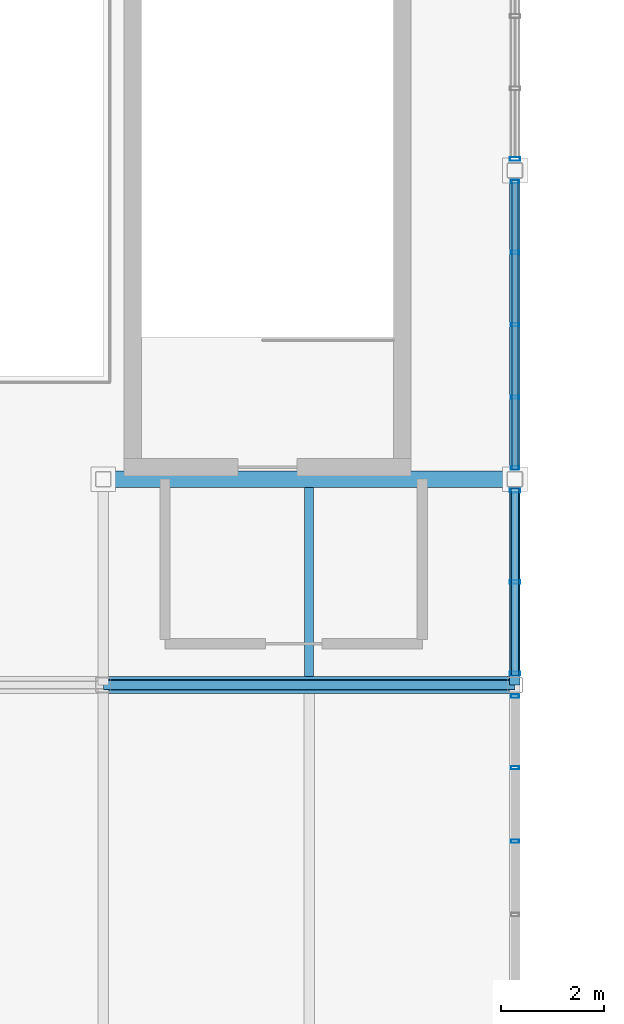
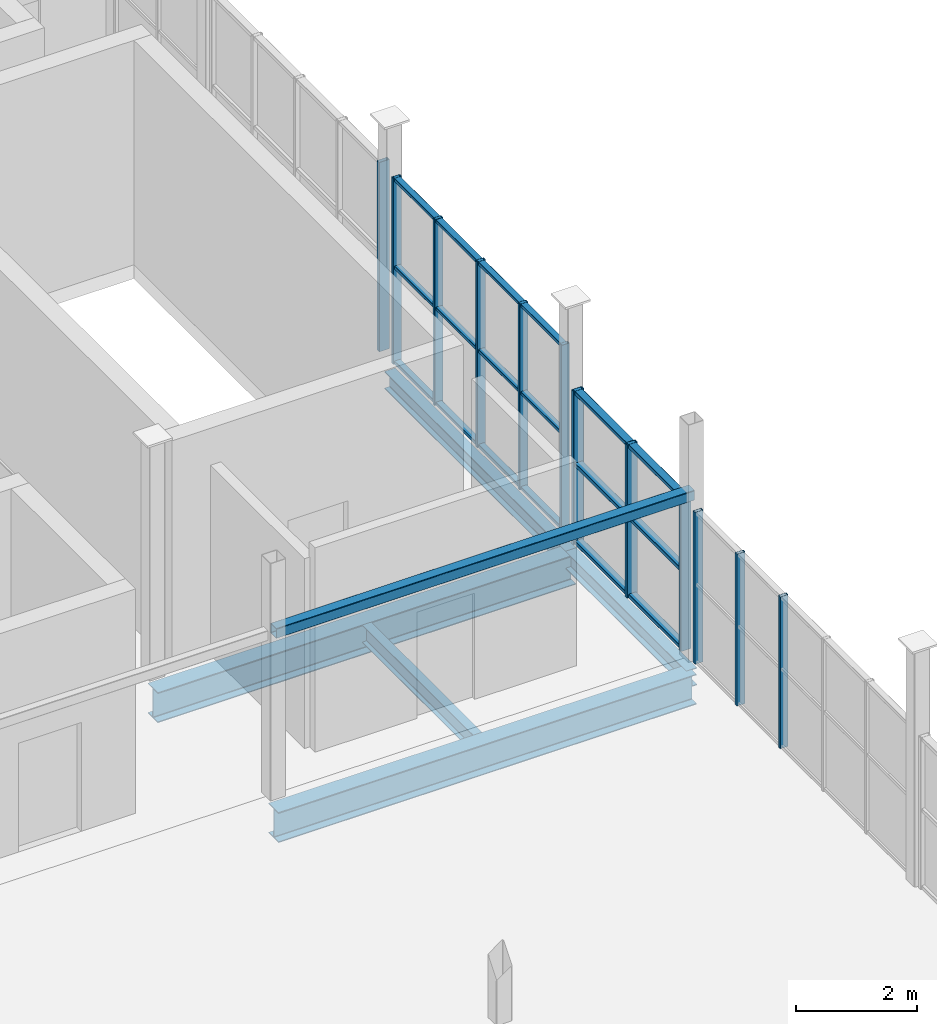
# One storey, part 35 of 114: 18 members, 6 beams, 4 elements without a shape of their own.
"""IFC4 building model written with IfcOpenShell, lengths in metres."""

from ifc_helpers import new_model, si_unit, direction, frame, origin, origin_2d, place, context, subcontext, project, spatial, hollow_rectangle, i_section, extrude, material, material_profile, profile_set, type_object, element, aggregate, save


model = new_model("IFC4")

# Units and contexts
model_context = context("Model", 3, precision=1e-05, world=origin(), true_north=direction((0.0, 1.0)))
body_context = subcontext(model_context, "Body", "Model", "MODEL_VIEW")
ifc_project = project(units=[si_unit("LENGTHUNIT", "METRE"), si_unit("AREAUNIT", "SQUARE_METRE"), si_unit("VOLUMEUNIT", "CUBIC_METRE"), si_unit("PLANEANGLEUNIT", "RADIAN"), si_unit("MASSUNIT", "GRAM", prefix="KILO")], contexts=[model_context])

# Site, building, storey
site_placement = place(None, origin())
site = spatial("IfcSite", under=ifc_project, at=site_placement, CompositionType="ELEMENT")
building_placement = place(site_placement, origin())
building = spatial("IfcBuilding", under=site, at=building_placement, Name="Verrall Gate Interchange", CompositionType="ELEMENT")
storey_placement = place(building_placement, frame((0.0, 0.0, 6.60009765625)))
storey = spatial("IfcBuildingStorey", under=building, at=storey_placement, Name="L02", CompositionType="ELEMENT", Elevation=6.60009765625)

# Beams
ifc_material_1 = material(Name="Structural Steel CSA G40.21 350WT Cat 4", Category="steel")
ifc_material_profile_1 = material_profile(ifc_material_1, i_section(OverallWidth=0.323974609375, OverallDepth=0.611083984375, WebThickness=0.0126953125, FlangeThickness=0.01904296875, FilletRadius=0.014892578125, at=origin_2d()), Name="W610x155")
ifc_profile_set_1 = profile_set([ifc_material_profile_1], Name="Structural Steel CSA G40.21 350WT Cat 4")
beam_type_1 = type_object("IfcBeamType", Name="B-08 Structural Beam W610x155", PredefinedType="BEAM", material=ifc_profile_set_1)
for number, where, z_axis, x_axis, name in (
    (1, (100.0, 12.0, -0.585693359375), (1.0, 0.0, 0.0), (0.0, 1.0, 0.0), "L02 Girder BM-L02-1480 (B-08)"),
    (2, (100.0, 16.0, -0.585693359375), (1.0, 0.0, 0.0), (0.0, 1.0, 0.0), "L02 Girder BM-L02-1497 (B-08)"),
):
    element("IfcBeam", number, at=place(storey_placement, frame(where, z_axis=z_axis, x_axis=x_axis)), inside=storey, type_object=beam_type_1, Name=name, PredefinedType="BEAM", context=body_context, shape_type="SweptSolid", body=[
        extrude(i_section(OverallWidth=0.323974609375, OverallDepth=0.611083984375, WebThickness=0.0126953125, FlangeThickness=0.01904296875, FilletRadius=0.014892578125, at=origin_2d()), origin(), (0.0, 0.0, 1.0), 8.0),
    ])
ifc_material_2 = material(Name="Structural Steel CSA G40.21 350W", Category="steel")
ifc_material_profile_2 = material_profile(ifc_material_2, i_section(OverallWidth=0.205078125, OverallDepth=0.35400390625, WebThickness=0.009521484375, FlangeThickness=0.016845703125, FilletRadius=0.012939453125, at=origin_2d()), Name="W360x79")
ifc_profile_set_2 = profile_set([ifc_material_profile_2], Name="Structural Steel CSA G40.21 350W")
beam_type_2 = type_object("IfcBeamType", Name="B-14 Structural Beam W360x79", PredefinedType="BEAM", material=ifc_profile_set_2)
beam_1_placement = place(storey_placement, frame((108.0, 12.0, -0.45703125), z_axis=(0.0, 1.0, 0.0), x_axis=(-1.0, 0.0, 0.0)))
element("IfcBeam", 3, at=beam_1_placement, inside=storey, type_object=beam_type_2, Name="L02 Girder BM-L02-1773 (B-14)", PredefinedType="BEAM", context=body_context, shape_type="SweptSolid", body=[
    extrude(i_section(OverallWidth=0.205078125, OverallDepth=0.35400390625, WebThickness=0.009521484375, FlangeThickness=0.016845703125, FilletRadius=0.012939453125, at=origin_2d()), origin(), (0.0, 0.0, 1.0), 4.0),
])
beam_2_placement = place(storey_placement, frame((108.0, 16.0, -0.45703125), z_axis=(0.0, 1.0, 0.0), x_axis=(-1.0, 0.0, 0.0)))
element("IfcBeam", 4, at=beam_2_placement, inside=storey, type_object=beam_type_2, Name="L02 Girder BM-L02-1774 (B-14)", PredefinedType="BEAM", context=body_context, shape_type="SweptSolid", body=[
    extrude(i_section(OverallWidth=0.205078125, OverallDepth=0.35400390625, WebThickness=0.009521484375, FlangeThickness=0.016845703125, FilletRadius=0.012939453125, at=origin_2d()), origin(), (0.0, 0.0, 1.0), 6.0),
])

# Curtain wall, members
ifc_material_3 = material(Name="Thermally Broken Anodized Aluminium Curtain Wall Framing", Category="aluminium")
curtain_wall_type_1 = type_object("IfcCurtainWallType", Name="CW-16 Unitized Curtain Wall 7131x3070", PredefinedType="NOTDEFINED", material=ifc_material_3)
curtain_wall_1_placement = place(storey_placement, origin())
curtain_wall_1 = element("IfcCurtainWall", 5, at=curtain_wall_1_placement, inside=storey, type_object=curtain_wall_type_1, Name="L02 Unitized Curtain Wall CW-L02-062", PredefinedType="NOTDEFINED")
ifc_material_4 = material(Name="Thermally Broken Anodized Aluminium Curtain Wall Framing", Category="aluminium")
ifc_material_profile_3 = material_profile(ifc_material_4, hollow_rectangle(XDim=0.06494140625, YDim=0.159912109375, WallThickness=0.00390625, InnerFilletRadius=0.00390625, OuterFilletRadius=0.008056640625, at=origin_2d()), Name="CWM160x65x4")
ifc_profile_set_3 = profile_set([ifc_material_profile_3], Name="Thermally Broken Anodized Aluminium Curtain Wall Framing")
member_type_1 = type_object("IfcMemberType", Name="CM-01 Curtain Mullion CWM160x65x4", PredefinedType="MULLION", material=ifc_profile_set_3)
member_1_placement = place(storey_placement, frame((108.0, 8.963134765625, 0.0), z_axis=(0.0, 0.0, 1.0), x_axis=(0.0, 1.0, 0.0)))
member_1 = element("IfcMember", 6, at=member_1_placement, type_object=member_type_1, Name="CW-L02-062 Mullion 4", PredefinedType="MULLION", context=body_context, shape_type="SweptSolid", body=[
    extrude(hollow_rectangle(XDim=0.06494140625, YDim=0.159912109375, WallThickness=0.00390625, InnerFilletRadius=0.00390625, OuterFilletRadius=0.008056640625, at=origin_2d()), origin(), (0.0, 0.0, 1.0), 3.06982421875),
])
member_2_placement = place(storey_placement, frame((108.0, 10.389404296875, 0.0), z_axis=(0.0, 0.0, 1.0), x_axis=(0.0, 1.0, 0.0)))
member_2 = element("IfcMember", 7, at=member_2_placement, type_object=member_type_1, Name="CW-L02-062 Mullion 5", PredefinedType="MULLION", context=body_context, shape_type="SweptSolid", body=[
    extrude(hollow_rectangle(XDim=0.06494140625, YDim=0.159912109375, WallThickness=0.00390625, InnerFilletRadius=0.00390625, OuterFilletRadius=0.008056640625, at=origin_2d()), origin(), (0.0, 0.0, 1.0), 3.06982421875),
])
member_3_placement = place(storey_placement, frame((108.0, 11.782958984375, 0.0), z_axis=(0.0, 0.0, 1.0), x_axis=(0.0, 1.0, 0.0)))
member_3 = element("IfcMember", 8, at=member_3_placement, type_object=member_type_1, Name="CW-L02-062 Mullion 6", PredefinedType="MULLION", context=body_context, shape_type="SweptSolid", body=[
    extrude(hollow_rectangle(XDim=0.06494140625, YDim=0.159912109375, WallThickness=0.00390625, InnerFilletRadius=0.00390625, OuterFilletRadius=0.008056640625, at=origin_2d()), origin(), (0.0, 0.0, 1.0), 3.06982421875),
])
aggregate(curtain_wall_1, [member_1, member_2, member_3])

ifc_material_5 = material(Name="Thermally Broken Anodized Aluminium Curtain Wall Framing", Category="aluminium")
curtain_wall_type_2 = type_object("IfcCurtainWallType", Name="CW-18 Unitized Curtain Wall 5631x3760", PredefinedType="NOTDEFINED", material=ifc_material_5)
curtain_wall_2_placement = place(storey_placement, origin())
curtain_wall_2 = element("IfcCurtainWall", 9, at=curtain_wall_2_placement, inside=storey, type_object=curtain_wall_type_2, Name="L02 Unitized Curtain Wall CW-L02-064", PredefinedType="NOTDEFINED")
member_4_placement = place(storey_placement, frame((108.0, 16.217041015625, 0.0), z_axis=(0.0, 0.0, 1.0), x_axis=(0.0, 1.0, 0.0)))
member_4 = element("IfcMember", 10, at=member_4_placement, type_object=member_type_1, Name="CW-L02-064 Mullion 1", PredefinedType="MULLION", context=body_context, shape_type="SweptSolid", body=[
    extrude(hollow_rectangle(XDim=0.06494140625, YDim=0.159912109375, WallThickness=0.00390625, InnerFilletRadius=0.00390625, OuterFilletRadius=0.008056640625, at=origin_2d()), origin(), (0.0, 0.0, 1.0), 3.760009765625),
])
member_5_placement = place(storey_placement, frame((108.0, 17.59228515625, 0.0), z_axis=(0.0, 0.0, 1.0), x_axis=(0.0, 1.0, 0.0)))
member_5 = element("IfcMember", 11, at=member_5_placement, type_object=member_type_1, Name="CW-L02-064 Mullion 2", PredefinedType="MULLION", context=body_context, shape_type="SweptSolid", body=[
    extrude(hollow_rectangle(XDim=0.06494140625, YDim=0.159912109375, WallThickness=0.00390625, InnerFilletRadius=0.00390625, OuterFilletRadius=0.008056640625, at=origin_2d()), origin(), (0.0, 0.0, 1.0), 3.760009765625),
])
member_6_placement = place(storey_placement, frame((108.0, 19.0, 0.0), z_axis=(0.0, 0.0, 1.0), x_axis=(0.0, 1.0, 0.0)))
member_6 = element("IfcMember", 12, at=member_6_placement, type_object=member_type_1, Name="CW-L02-064 Mullion 3", PredefinedType="MULLION", context=body_context, shape_type="SweptSolid", body=[
    extrude(hollow_rectangle(XDim=0.06494140625, YDim=0.159912109375, WallThickness=0.00390625, InnerFilletRadius=0.00390625, OuterFilletRadius=0.008056640625, at=origin_2d()), origin(), (0.0, 0.0, 1.0), 3.760009765625),
])
member_7_placement = place(storey_placement, frame((108.0, 20.40771484375, 0.0), z_axis=(0.0, 0.0, 1.0), x_axis=(0.0, 1.0, 0.0)))
member_7 = element("IfcMember", 13, at=member_7_placement, type_object=member_type_1, Name="CW-L02-064 Mullion 4", PredefinedType="MULLION", context=body_context, shape_type="SweptSolid", body=[
    extrude(hollow_rectangle(XDim=0.06494140625, YDim=0.159912109375, WallThickness=0.00390625, InnerFilletRadius=0.00390625, OuterFilletRadius=0.008056640625, at=origin_2d()), origin(), (0.0, 0.0, 1.0), 3.760009765625),
])
member_8_placement = place(storey_placement, frame((108.0, 21.782958984375, 0.0), z_axis=(0.0, 0.0, 1.0), x_axis=(0.0, 1.0, 0.0)))
member_8 = element("IfcMember", 14, at=member_8_placement, type_object=member_type_1, Name="CW-L02-064 Mullion 5", PredefinedType="MULLION", context=body_context, shape_type="SweptSolid", body=[
    extrude(hollow_rectangle(XDim=0.06494140625, YDim=0.159912109375, WallThickness=0.00390625, InnerFilletRadius=0.00390625, OuterFilletRadius=0.008056640625, at=origin_2d()), origin(), (0.0, 0.0, 1.0), 3.760009765625),
])

ifc_material_6 = material(Name="Thermally Broken Anodized Aluminium Curtain Wall Framing", Category="aluminium")
curtain_wall_type_3 = type_object("IfcCurtainWallType", Name="CW-17 Unitized Curtain Wall 3631x3100", PredefinedType="NOTDEFINED", material=ifc_material_6)
curtain_wall_3_placement = place(storey_placement, origin())
curtain_wall_3 = element("IfcCurtainWall", 15, at=curtain_wall_3_placement, inside=storey, type_object=curtain_wall_type_3, Name="L02 Unitized Curtain Wall CW-L02-063", PredefinedType="NOTDEFINED")
ifc_material_7 = material(Name="Thermally Broken Anodized Aluminium Curtain Wall Framing", Category="aluminium")
ifc_material_profile_4 = material_profile(ifc_material_7, hollow_rectangle(XDim=0.074951171875, YDim=0.199951171875, WallThickness=0.0048828125, InnerFilletRadius=0.0048828125, OuterFilletRadius=0.010009765625, at=origin_2d()), Name="CWM200x75x5")
ifc_profile_set_4 = profile_set([ifc_material_profile_4], Name="Thermally Broken Anodized Aluminium Curtain Wall Framing")
member_type_2 = type_object("IfcMemberType", Name="CM-02 Curtain Mullion CWM200x75x5", PredefinedType="MULLION", material=ifc_profile_set_4)
member_9_placement = place(storey_placement, frame((108.0, 12.221923828125, 0.0), z_axis=(0.0, 0.0, 1.0), x_axis=(0.0, 1.0, 0.0)))
member_9 = element("IfcMember", 16, at=member_9_placement, type_object=member_type_2, Name="CW-L02-063 Mullion 1", PredefinedType="MULLION", context=body_context, shape_type="SweptSolid", body=[
    extrude(hollow_rectangle(XDim=0.074951171875, YDim=0.199951171875, WallThickness=0.0048828125, InnerFilletRadius=0.0048828125, OuterFilletRadius=0.010009765625, at=origin_2d()), origin(), (0.0, 0.0, 1.0), 3.099853515625),
])
member_10_placement = place(storey_placement, frame((108.0, 14.0, 0.0), z_axis=(0.0, 0.0, 1.0), x_axis=(0.0, 1.0, 0.0)))
member_10 = element("IfcMember", 17, at=member_10_placement, type_object=member_type_2, Name="CW-L02-063 Mullion 2", PredefinedType="MULLION", context=body_context, shape_type="SweptSolid", body=[
    extrude(hollow_rectangle(XDim=0.074951171875, YDim=0.199951171875, WallThickness=0.0048828125, InnerFilletRadius=0.0048828125, OuterFilletRadius=0.010009765625, at=origin_2d()), origin(), (0.0, 0.0, 1.0), 3.099853515625),
])
member_11_placement = place(storey_placement, frame((108.0, 15.778076171875, 0.0), z_axis=(0.0, 0.0, 1.0), x_axis=(0.0, 1.0, 0.0)))
member_11 = element("IfcMember", 18, at=member_11_placement, type_object=member_type_2, Name="CW-L02-063 Mullion 3", PredefinedType="MULLION", context=body_context, shape_type="SweptSolid", body=[
    extrude(hollow_rectangle(XDim=0.074951171875, YDim=0.199951171875, WallThickness=0.0048828125, InnerFilletRadius=0.0048828125, OuterFilletRadius=0.010009765625, at=origin_2d()), origin(), (0.0, 0.0, 1.0), 3.099853515625),
])

# Curtain wall, member
curtain_wall_4_placement = place(storey_placement, origin())
curtain_wall_4 = element("IfcCurtainWall", 19, at=curtain_wall_4_placement, inside=storey, type_object=curtain_wall_type_2, Name="L02 Unitized Curtain Wall CW-L02-065", PredefinedType="NOTDEFINED")
member_12_placement = place(storey_placement, frame((108.0, 22.221923828125, 0.0), z_axis=(0.0, 0.0, 1.0), x_axis=(0.0, 1.0, 0.0)))
member_12 = element("IfcMember", 20, at=member_12_placement, type_object=member_type_2, Name="CW-L02-065 Mullion 1", PredefinedType="MULLION", context=body_context, shape_type="SweptSolid", body=[
    extrude(hollow_rectangle(XDim=0.074951171875, YDim=0.199951171875, WallThickness=0.0048828125, InnerFilletRadius=0.0048828125, OuterFilletRadius=0.010009765625, at=origin_2d()), origin(), (0.0, 0.0, 1.0), 3.829833984375),
])
aggregate(curtain_wall_4, [member_12])

# Member
ifc_material_8 = material(Name="Thermally Broken Anodized Aluminium Curtain Wall Framing", Category="aluminium")
ifc_material_profile_5 = material_profile(ifc_material_8, hollow_rectangle(XDim=0.1201171875, YDim=0.06494140625, WallThickness=0.00390625, InnerFilletRadius=0.00390625, OuterFilletRadius=0.008056640625, at=origin_2d()), Name="CWT120x65x4")
ifc_profile_set_5 = profile_set([ifc_material_profile_5], Name="Thermally Broken Anodized Aluminium Curtain Wall Framing")
member_type_3 = type_object("IfcMemberType", Name="CT-01 Curtain Transom CWT120x65x4", PredefinedType="USERDEFINED", material=ifc_profile_set_5)
member_13_placement = place(storey_placement, frame((108.0, 16.1845703125, 0.032470703125), z_axis=(0.0, 1.0, 0.0), x_axis=(-1.0, 0.0, 0.0)))
member_13 = element("IfcMember", 21, at=member_13_placement, type_object=member_type_3, Name="CW-L02-064 Transom 1", ObjectType="TRANSOM", PredefinedType="USERDEFINED", context=body_context, shape_type="SweptSolid", body=[
    extrude(hollow_rectangle(XDim=0.1201171875, YDim=0.06494140625, WallThickness=0.00390625, InnerFilletRadius=0.00390625, OuterFilletRadius=0.008056640625, at=origin_2d()), origin(), (0.0, 0.0, 1.0), 5.630859375),
])

member_14_placement = place(storey_placement, frame((108.0, 16.1845703125, 1.955078125), z_axis=(0.0, 1.0, 0.0), x_axis=(-1.0, 0.0, 0.0)))
member_14 = element("IfcMember", 22, at=member_14_placement, type_object=member_type_3, Name="CW-L02-064 Transom 2", ObjectType="TRANSOM", PredefinedType="USERDEFINED", context=body_context, shape_type="SweptSolid", body=[
    extrude(hollow_rectangle(XDim=0.1201171875, YDim=0.06494140625, WallThickness=0.00390625, InnerFilletRadius=0.00390625, OuterFilletRadius=0.008056640625, at=origin_2d()), origin(), (0.0, 0.0, 1.0), 5.630859375),
])

member_15_placement = place(storey_placement, frame((108.0, 16.1845703125, 3.727294921875), z_axis=(0.0, 1.0, 0.0), x_axis=(-1.0, 0.0, 0.0)))
member_15 = element("IfcMember", 23, at=member_15_placement, type_object=member_type_3, Name="CW-L02-064 Transom 3", ObjectType="TRANSOM", PredefinedType="USERDEFINED", context=body_context, shape_type="SweptSolid", body=[
    extrude(hollow_rectangle(XDim=0.1201171875, YDim=0.06494140625, WallThickness=0.00390625, InnerFilletRadius=0.00390625, OuterFilletRadius=0.008056640625, at=origin_2d()), origin(), (0.0, 0.0, 1.0), 5.630859375),
])

aggregate(curtain_wall_2, [member_4, member_5, member_6, member_7, member_8, member_13, member_14, member_15])

ifc_material_9 = material(Name="Thermally Broken Anodized Aluminium Curtain Wall Framing", Category="aluminium")
ifc_material_profile_6 = material_profile(ifc_material_9, hollow_rectangle(XDim=0.14990234375, YDim=0.074951171875, WallThickness=0.00439453125, InnerFilletRadius=0.00439453125, OuterFilletRadius=0.009033203125, at=origin_2d()), Name="CWT150x75x4.5")
ifc_profile_set_6 = profile_set([ifc_material_profile_6], Name="Thermally Broken Anodized Aluminium Curtain Wall Framing")
member_type_4 = type_object("IfcMemberType", Name="CT-02 Curtain Transom CWT150x75x4.5", PredefinedType="USERDEFINED", material=ifc_profile_set_6)
member_16_placement = place(storey_placement, frame((108.0, 12.1845703125, 0.037353515625), z_axis=(0.0, 1.0, 0.0), x_axis=(-1.0, 0.0, 0.0)))
member_16 = element("IfcMember", 24, at=member_16_placement, type_object=member_type_4, Name="CW-L02-063 Transom 1", ObjectType="TRANSOM", PredefinedType="USERDEFINED", context=body_context, shape_type="SweptSolid", body=[
    extrude(hollow_rectangle(XDim=0.14990234375, YDim=0.074951171875, WallThickness=0.00439453125, InnerFilletRadius=0.00439453125, OuterFilletRadius=0.009033203125, at=origin_2d()), origin(), (0.0, 0.0, 1.0), 3.630859375),
])

member_17_placement = place(storey_placement, frame((108.0, 12.1845703125, 1.61181640625), z_axis=(0.0, 1.0, 0.0), x_axis=(-1.0, 0.0, 0.0)))
member_17 = element("IfcMember", 25, at=member_17_placement, type_object=member_type_4, Name="CW-L02-063 Transom 2", ObjectType="TRANSOM", PredefinedType="USERDEFINED", context=body_context, shape_type="SweptSolid", body=[
    extrude(hollow_rectangle(XDim=0.14990234375, YDim=0.074951171875, WallThickness=0.00439453125, InnerFilletRadius=0.00439453125, OuterFilletRadius=0.009033203125, at=origin_2d()), origin(), (0.0, 0.0, 1.0), 3.630859375),
])

member_18_placement = place(storey_placement, frame((108.0, 12.1845703125, 3.0625), z_axis=(0.0, 1.0, 0.0), x_axis=(-1.0, 0.0, 0.0)))
member_18 = element("IfcMember", 26, at=member_18_placement, type_object=member_type_4, Name="CW-L02-063 Transom 3", ObjectType="TRANSOM", PredefinedType="USERDEFINED", context=body_context, shape_type="SweptSolid", body=[
    extrude(hollow_rectangle(XDim=0.14990234375, YDim=0.074951171875, WallThickness=0.00439453125, InnerFilletRadius=0.00439453125, OuterFilletRadius=0.009033203125, at=origin_2d()), origin(), (0.0, 0.0, 1.0), 3.630859375),
])

aggregate(curtain_wall_3, [member_9, member_10, member_11, member_16, member_17, member_18])

# Beams
ifc_material_10 = material(Name="Structural Steel CSA G40.21 350W", Category="steel")
ifc_material_profile_7 = material_profile(ifc_material_10, i_section(OverallWidth=0.172119140625, OverallDepth=0.35791015625, WebThickness=0.0078125, FlangeThickness=0.01318359375, FilletRadius=0.010986328125, at=origin_2d()), Name="W360x57")
ifc_profile_set_7 = profile_set([ifc_material_profile_7], Name="Structural Steel CSA G40.21 350W")
beam_type_3 = type_object("IfcBeamType", Name="J-01 Floor Joist W360x57", PredefinedType="JOIST", material=ifc_profile_set_7)
beam_3_placement = place(storey_placement, frame((104.0, 12.162109375, -0.458984375), z_axis=(0.0, 1.0, 0.0), x_axis=(-1.0, 0.0, 0.0)))
element("IfcBeam", 27, at=beam_3_placement, inside=storey, type_object=beam_type_3, Name="L02 Secondary Floor Joist JST-L02-1877", PredefinedType="JOIST", context=body_context, shape_type="SweptSolid", body=[
    extrude(i_section(OverallWidth=0.172119140625, OverallDepth=0.35791015625, WebThickness=0.0078125, FlangeThickness=0.01318359375, FilletRadius=0.010986328125, at=origin_2d()), origin(), (0.0, 0.0, 1.0), 3.67578125),
])
ifc_material_11 = material(Name="Structural Steel CSA G40.21 350W", Category="steel")
ifc_material_profile_8 = material_profile(ifc_material_11, hollow_rectangle(XDim=0.202880859375, YDim=0.202880859375, WallThickness=0.009521484375, InnerFilletRadius=0.009521484375, OuterFilletRadius=0.01904296875, at=origin_2d()), Name="HSS203x203x9.5")
ifc_profile_set_8 = profile_set([ifc_material_profile_8], Name="Structural Steel CSA G40.21 350W")
beam_type_4 = type_object("IfcBeamType", Name="LN-04 Portal Lintel HSS203x203x9.5", PredefinedType="LINTEL", material=ifc_profile_set_8)
beam_4_placement = place(storey_placement, frame((100.0, 12.0, 3.2998046875), z_axis=(1.0, 0.0, 0.0), x_axis=(0.0, 1.0, 0.0)))
element("IfcBeam", 28, at=beam_4_placement, inside=storey, type_object=beam_type_4, Name="Classical Portal Lintel 036", PredefinedType="LINTEL", context=body_context, shape_type="SweptSolid", body=[
    extrude(hollow_rectangle(XDim=0.202880859375, YDim=0.202880859375, WallThickness=0.009521484375, InnerFilletRadius=0.009521484375, OuterFilletRadius=0.01904296875, at=origin_2d()), origin(), (0.0, 0.0, 1.0), 8.0),
])

save(model, "model.ifc")
